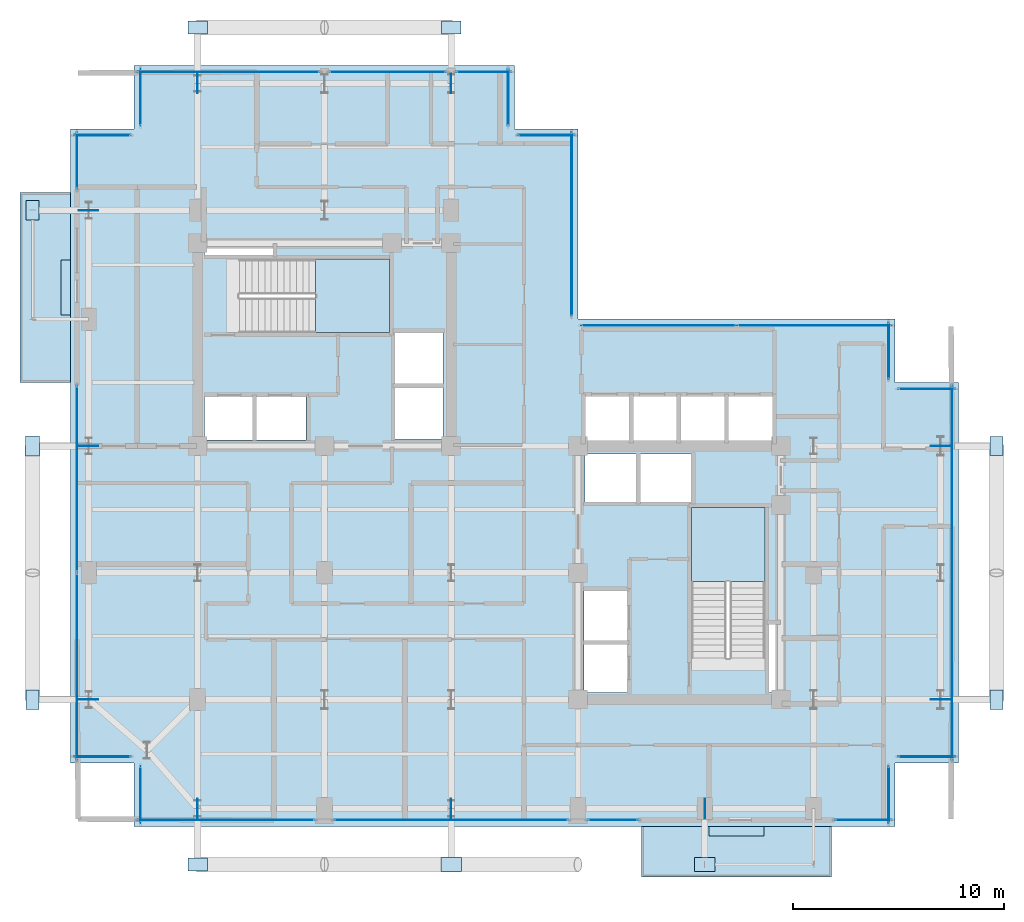
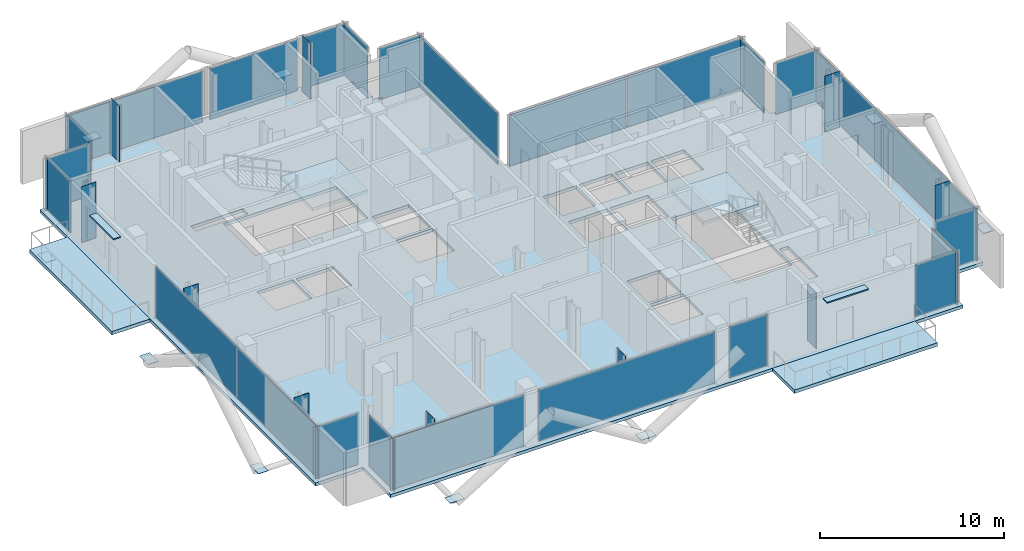
# One storey, part 16 of 26: 46 plates, 5 slabs, 24 elements without a shape of their own.
"""IFC4 building model written with IfcOpenShell, lengths in metres."""

from ifc_helpers import new_model, si_unit, direction, frame, origin, origin_2d, place, context, subcontext, project, spatial, polyline, rectangle, outline, extrude, material, layer, layer_set, type_object, element, aggregate, save


model = new_model("IFC4")

# Units and contexts
model_context = context("Model", 3, precision=1e-05, world=origin(), true_north=direction((0.0, 1.0)))
body_context = subcontext(model_context, "Body", "Model", "MODEL_VIEW")
ifc_project = project(units=[si_unit("LENGTHUNIT", "METRE"), si_unit("AREAUNIT", "SQUARE_METRE"), si_unit("VOLUMEUNIT", "CUBIC_METRE"), si_unit("PLANEANGLEUNIT", "RADIAN"), si_unit("MASSUNIT", "GRAM", prefix="KILO"), si_unit("THERMODYNAMICTEMPERATUREUNIT", "KELVIN"), si_unit("POWERUNIT", "WATT")], contexts=[model_context])

# Site, building, storey
site_placement = place(None, origin())
site = spatial("IfcSite", under=ifc_project, at=site_placement, CompositionType="ELEMENT")
building_placement = place(site_placement, origin())
building = spatial("IfcBuilding", under=site, at=building_placement, Name="Svarakhadi Broadcast Tower", CompositionType="ELEMENT")
storey_placement = place(building_placement, frame((0.0, 0.0, 180.449951171875)))
storey = spatial("IfcBuildingStorey", under=building, at=storey_placement, Name="L44", CompositionType="ELEMENT", Elevation=180.449951171875)

# Curtain wall, plate
ifc_material_1 = material(Name="Anodised Bronze Aluminium AA 6063-T6", Category="aluminium")
ifc_layer_1 = layer(ifc_material_1, 0.18994140625)
ifc_layer_set_1 = layer_set([ifc_layer_1], Name="Anodised Bronze Aluminium AA 6063-T6")
curtain_wall_type = type_object("IfcCurtainWallType", Name="CW_Sys_04", PredefinedType="NOTDEFINED", material=ifc_layer_set_1)
curtain_wall_1_placement = place(storey_placement, origin())
curtain_wall_1 = element("IfcCurtainWall", 1, at=curtain_wall_1_placement, inside=storey, type_object=curtain_wall_type, Name="L44 Unitised Facade Curtain Wall 01", PredefinedType="NOTDEFINED")
ifc_material_2 = material(Name="Double Low-E Laminated Acoustic Glass IGU 36 mm", Category="glass")
ifc_layer_2 = layer(ifc_material_2, 0.033935546875)
ifc_layer_set_2 = layer_set([ifc_layer_2], Name="Double Low-E Laminated Acoustic Glass IGU 36 mm")
plate_type_1 = type_object("IfcPlateType", Name="CW_Sys_04_Pnl", PredefinedType="CURTAIN_PANEL", material=ifc_layer_set_2)
plate_1_placement = place(storey_placement, frame((1.5, 3.300048828125, 0.06494140625), z_axis=(0.0, 0.0, 1.0), x_axis=(-1.0, 0.0, 0.0)))
plate_1 = element("IfcPlate", 2, at=plate_1_placement, type_object=plate_type_1, Name="CW-04 panel 1.1", PredefinedType="CURTAIN_PANEL", context=body_context, shape_type="SweptSolid", body=[
    extrude(rectangle(XDim=2.679931640625, YDim=0.033935546875, at=origin_2d()), origin(), (0.0, 0.0, 1.0), 3.409912109375),
])
aggregate(curtain_wall_1, [plate_1])

# Curtain wall, plates
curtain_wall_2_placement = place(storey_placement, origin())
curtain_wall_2 = element("IfcCurtainWall", 3, at=curtain_wall_2_placement, inside=storey, type_object=curtain_wall_type, Name="L44 West Curtain Wall 02", PredefinedType="NOTDEFINED")
plate_2_placement = place(storey_placement, frame((0.300048828125, 7.5625, 0.06494140625), z_axis=(0.0, 0.0, 1.0), x_axis=(0.0, 1.0, 0.0)))
plate_2 = element("IfcPlate", 4, at=plate_2_placement, type_object=plate_type_1, Name="CW-04 panel 1.1", PredefinedType="CURTAIN_PANEL", context=body_context, shape_type="SweptSolid", body=[
    extrude(rectangle(XDim=8.804931640625, YDim=0.033935546875, at=origin_2d()), origin(), (0.0, 0.0, 1.0), 3.409912109375),
])
plate_3_placement = place(storey_placement, frame((0.300048828125, 16.4375, 0.06494140625), z_axis=(0.0, 0.0, 1.0), x_axis=(0.0, 1.0, 0.0)))
plate_3 = element("IfcPlate", 5, at=plate_3_placement, type_object=plate_type_1, Name="CW-04 panel 2.1", PredefinedType="CURTAIN_PANEL", context=body_context, shape_type="SweptSolid", body=[
    extrude(rectangle(XDim=8.804931640625, YDim=0.033935546875, at=origin_2d()), origin(), (0.0, 0.0, 1.0), 3.409912109375),
])
aggregate(curtain_wall_2, [plate_2, plate_3])

# Curtain wall, plate
curtain_wall_3_placement = place(storey_placement, origin())
curtain_wall_3 = element("IfcCurtainWall", 6, at=curtain_wall_3_placement, inside=storey, type_object=curtain_wall_type, Name="L44 West Curtain Wall 03", PredefinedType="NOTDEFINED")
plate_4_placement = place(storey_placement, frame((0.300048828125, 31.5, 0.06494140625), z_axis=(0.0, 0.0, 1.0), x_axis=(0.0, 1.0, 0.0)))
plate_4 = element("IfcPlate", 7, at=plate_4_placement, type_object=plate_type_1, Name="CW-04 panel 1.1", PredefinedType="CURTAIN_PANEL", context=body_context, shape_type="SweptSolid", body=[
    extrude(rectangle(XDim=2.679931640625, YDim=0.033935546875, at=origin_2d()), origin(), (0.0, 0.0, 1.0), 3.409912109375),
])
aggregate(curtain_wall_3, [plate_4])

curtain_wall_4_placement = place(storey_placement, origin())
curtain_wall_4 = element("IfcCurtainWall", 8, at=curtain_wall_4_placement, inside=storey, type_object=curtain_wall_type, Name="L44 Unitised Facade Curtain Wall 04", PredefinedType="NOTDEFINED")
plate_5_placement = place(storey_placement, frame((1.5, 32.699951171875, 0.06494140625), z_axis=(0.0, 0.0, 1.0), x_axis=(1.0, 0.0, 0.0)))
plate_5 = element("IfcPlate", 9, at=plate_5_placement, type_object=plate_type_1, Name="CW-04 panel 1.1", PredefinedType="CURTAIN_PANEL", context=body_context, shape_type="SweptSolid", body=[
    extrude(rectangle(XDim=2.679931640625, YDim=0.033935546875, at=origin_2d()), origin(), (0.0, 0.0, 1.0), 3.409912109375),
])
aggregate(curtain_wall_4, [plate_5])

curtain_wall_5_placement = place(storey_placement, origin())
curtain_wall_5 = element("IfcCurtainWall", 10, at=curtain_wall_5_placement, inside=storey, type_object=curtain_wall_type, Name="L44 Unitised Facade Curtain Wall 05", PredefinedType="NOTDEFINED")
plate_6_placement = place(storey_placement, frame((3.300048828125, 34.5, 0.06494140625), z_axis=(0.0, 0.0, 1.0), x_axis=(0.0, 1.0, 0.0)))
plate_6 = element("IfcPlate", 11, at=plate_6_placement, type_object=plate_type_1, Name="CW-04 panel 1.1", PredefinedType="CURTAIN_PANEL", context=body_context, shape_type="SweptSolid", body=[
    extrude(rectangle(XDim=2.679931640625, YDim=0.033935546875, at=origin_2d()), origin(), (0.0, 0.0, 1.0), 3.409912109375),
])
aggregate(curtain_wall_5, [plate_6])

curtain_wall_6_placement = place(storey_placement, origin())
curtain_wall_6 = element("IfcCurtainWall", 12, at=curtain_wall_6_placement, inside=storey, type_object=curtain_wall_type, Name="L44 Unitised Facade Curtain Wall 06 Bay 1", PredefinedType="NOTDEFINED")
plate_7_placement = place(storey_placement, frame((7.4599609375, 35.699951171875, 0.06494140625), z_axis=(0.0, 0.0, 1.0), x_axis=(1.0, 0.0, 0.0)))
plate_7 = element("IfcPlate", 13, at=plate_7_placement, type_object=plate_type_1, Name="CW-04 panel 1.1", PredefinedType="CURTAIN_PANEL", context=body_context, shape_type="SweptSolid", body=[
    extrude(rectangle(XDim=8.60009765625, YDim=0.033935546875, at=origin_2d()), origin(), (0.0, 0.0, 1.0), 3.409912109375),
])
aggregate(curtain_wall_6, [plate_7])

curtain_wall_7_placement = place(storey_placement, origin())
curtain_wall_7 = element("IfcCurtainWall", 14, at=curtain_wall_7_placement, inside=storey, type_object=curtain_wall_type, Name="L44 Unitised Facade Curtain Wall 06 Bay 2", PredefinedType="NOTDEFINED")
plate_8_placement = place(storey_placement, frame((15.0, 35.699951171875, 0.06494140625), z_axis=(0.0, 0.0, 1.0), x_axis=(1.0, 0.0, 0.0)))
plate_8 = element("IfcPlate", 15, at=plate_8_placement, type_object=plate_type_1, Name="CW-04 panel 1.1", PredefinedType="CURTAIN_PANEL", context=body_context, shape_type="SweptSolid", body=[
    extrude(rectangle(XDim=5.52001953125, YDim=0.033935546875, at=origin_2d()), origin(), (0.0, 0.0, 1.0), 3.409912109375),
])
aggregate(curtain_wall_7, [plate_8])

curtain_wall_8_placement = place(storey_placement, origin())
curtain_wall_8 = element("IfcCurtainWall", 16, at=curtain_wall_8_placement, inside=storey, type_object=curtain_wall_type, Name="L44 Unitised Facade Curtain Wall 06 Bay 3", PredefinedType="NOTDEFINED")
plate_9_placement = place(storey_placement, frame((19.5400390625, 35.699951171875, 0.06494140625), z_axis=(0.0, 0.0, 1.0), x_axis=(1.0, 0.0, 0.0)))
plate_9 = element("IfcPlate", 17, at=plate_9_placement, type_object=plate_type_1, Name="CW-04 panel 1.1", PredefinedType="CURTAIN_PANEL", context=body_context, shape_type="SweptSolid", body=[
    extrude(rectangle(XDim=2.60009765625, YDim=0.033935546875, at=origin_2d()), origin(), (0.0, 0.0, 1.0), 3.409912109375),
])
aggregate(curtain_wall_8, [plate_9])

curtain_wall_9_placement = place(storey_placement, origin())
curtain_wall_9 = element("IfcCurtainWall", 18, at=curtain_wall_9_placement, inside=storey, type_object=curtain_wall_type, Name="L44 Unitised Facade Curtain Wall 07", PredefinedType="NOTDEFINED")
plate_10_placement = place(storey_placement, frame((20.699951171875, 34.5, 0.06494140625), z_axis=(0.0, 0.0, 1.0), x_axis=(0.0, -1.0, 0.0)))
plate_10 = element("IfcPlate", 19, at=plate_10_placement, type_object=plate_type_1, Name="CW-04 panel 1.1", PredefinedType="CURTAIN_PANEL", context=body_context, shape_type="SweptSolid", body=[
    extrude(rectangle(XDim=2.679931640625, YDim=0.033935546875, at=origin_2d()), origin(), (0.0, 0.0, 1.0), 3.409912109375),
])
aggregate(curtain_wall_9, [plate_10])

curtain_wall_10_placement = place(storey_placement, origin())
curtain_wall_10 = element("IfcCurtainWall", 20, at=curtain_wall_10_placement, inside=storey, type_object=curtain_wall_type, Name="L44 Unitised Facade Curtain Wall 08", PredefinedType="NOTDEFINED")
plate_11_placement = place(storey_placement, frame((22.5, 32.699951171875, 0.06494140625), z_axis=(0.0, 0.0, 1.0), x_axis=(1.0, 0.0, 0.0)))
plate_11 = element("IfcPlate", 21, at=plate_11_placement, type_object=plate_type_1, Name="CW-04 panel 1.1", PredefinedType="CURTAIN_PANEL", context=body_context, shape_type="SweptSolid", body=[
    extrude(rectangle(XDim=2.679931640625, YDim=0.033935546875, at=origin_2d()), origin(), (0.0, 0.0, 1.0), 3.409912109375),
])
aggregate(curtain_wall_10, [plate_11])

curtain_wall_11_placement = place(storey_placement, origin())
curtain_wall_11 = element("IfcCurtainWall", 22, at=curtain_wall_11_placement, inside=storey, type_object=curtain_wall_type, Name="L44 Unitised Facade Curtain Wall 09", PredefinedType="NOTDEFINED")
plate_12_placement = place(storey_placement, frame((23.699951171875, 28.5, 0.06494140625), z_axis=(0.0, 0.0, 1.0), x_axis=(0.0, -1.0, 0.0)))
plate_12 = element("IfcPlate", 23, at=plate_12_placement, type_object=plate_type_1, Name="CW-04 panel 1.1", PredefinedType="CURTAIN_PANEL", context=body_context, shape_type="SweptSolid", body=[
    extrude(rectangle(XDim=8.679931640625, YDim=0.033935546875, at=origin_2d()), origin(), (0.0, 0.0, 1.0), 3.409912109375),
])
aggregate(curtain_wall_11, [plate_12])

# Curtain wall, plates
curtain_wall_12_placement = place(storey_placement, origin())
curtain_wall_12 = element("IfcCurtainWall", 24, at=curtain_wall_12_placement, inside=storey, type_object=curtain_wall_type, Name="L44 Unitised Facade Curtain Wall 10", PredefinedType="NOTDEFINED")
plate_13_placement = place(storey_placement, frame((27.8125, 23.699951171875, 0.06494140625), z_axis=(0.0, 0.0, 1.0), x_axis=(1.0, 0.0, 0.0)))
plate_13 = element("IfcPlate", 25, at=plate_13_placement, type_object=plate_type_1, Name="CW-04 panel 1.1", PredefinedType="CURTAIN_PANEL", context=body_context, shape_type="SweptSolid", body=[
    extrude(rectangle(XDim=7.304931640625, YDim=0.033935546875, at=origin_2d()), origin(), (0.0, 0.0, 1.0), 3.409912109375),
])
plate_14_placement = place(storey_placement, frame((35.1875, 23.699951171875, 0.06494140625), z_axis=(0.0, 0.0, 1.0), x_axis=(1.0, 0.0, 0.0)))
plate_14 = element("IfcPlate", 26, at=plate_14_placement, type_object=plate_type_1, Name="CW-04 panel 2.1", PredefinedType="CURTAIN_PANEL", context=body_context, shape_type="SweptSolid", body=[
    extrude(rectangle(XDim=7.304931640625, YDim=0.033935546875, at=origin_2d()), origin(), (0.0, 0.0, 1.0), 3.409912109375),
])
aggregate(curtain_wall_12, [plate_13, plate_14])

# Curtain wall, plate
curtain_wall_13_placement = place(storey_placement, origin())
curtain_wall_13 = element("IfcCurtainWall", 27, at=curtain_wall_13_placement, inside=storey, type_object=curtain_wall_type, Name="L44 Unitised Facade Curtain Wall 11", PredefinedType="NOTDEFINED")
plate_15_placement = place(storey_placement, frame((38.699951171875, 22.5, 0.06494140625), z_axis=(0.0, 0.0, 1.0), x_axis=(0.0, -1.0, 0.0)))
plate_15 = element("IfcPlate", 28, at=plate_15_placement, type_object=plate_type_1, Name="CW-04 panel 1.1", PredefinedType="CURTAIN_PANEL", context=body_context, shape_type="SweptSolid", body=[
    extrude(rectangle(XDim=2.679931640625, YDim=0.033935546875, at=origin_2d()), origin(), (0.0, 0.0, 1.0), 3.409912109375),
])
aggregate(curtain_wall_13, [plate_15])

curtain_wall_14_placement = place(storey_placement, origin())
curtain_wall_14 = element("IfcCurtainWall", 29, at=curtain_wall_14_placement, inside=storey, type_object=curtain_wall_type, Name="L44 Unitised Facade Curtain Wall 12", PredefinedType="NOTDEFINED")
plate_16_placement = place(storey_placement, frame((40.5, 20.699951171875, 0.06494140625), z_axis=(0.0, 0.0, 1.0), x_axis=(1.0, 0.0, 0.0)))
plate_16 = element("IfcPlate", 30, at=plate_16_placement, type_object=plate_type_1, Name="CW-04 panel 1.1", PredefinedType="CURTAIN_PANEL", context=body_context, shape_type="SweptSolid", body=[
    extrude(rectangle(XDim=2.679931640625, YDim=0.033935546875, at=origin_2d()), origin(), (0.0, 0.0, 1.0), 3.409912109375),
])
aggregate(curtain_wall_14, [plate_16])

curtain_wall_15_placement = place(storey_placement, origin())
curtain_wall_15 = element("IfcCurtainWall", 31, at=curtain_wall_15_placement, inside=storey, type_object=curtain_wall_type, Name="L44 Unitised Facade Curtain Wall 13", PredefinedType="NOTDEFINED")
plate_17_placement = place(storey_placement, frame((41.699951171875, 12.0, 0.06494140625), z_axis=(0.0, 0.0, 1.0), x_axis=(0.0, -1.0, 0.0)))
plate_17 = element("IfcPlate", 32, at=plate_17_placement, type_object=plate_type_1, Name="CW-04 panel 1.1", PredefinedType="CURTAIN_PANEL", context=body_context, shape_type="SweptSolid", body=[
    extrude(rectangle(XDim=17.679931640625, YDim=0.033935546875, at=origin_2d()), origin(), (0.0, 0.0, 1.0), 3.409912109375),
])
aggregate(curtain_wall_15, [plate_17])

curtain_wall_16_placement = place(storey_placement, origin())
curtain_wall_16 = element("IfcCurtainWall", 33, at=curtain_wall_16_placement, inside=storey, type_object=curtain_wall_type, Name="L44 Unitised Facade Curtain Wall 14", PredefinedType="NOTDEFINED")
plate_18_placement = place(storey_placement, frame((40.5, 3.300048828125, 0.06494140625), z_axis=(0.0, 0.0, 1.0), x_axis=(-1.0, 0.0, 0.0)))
plate_18 = element("IfcPlate", 34, at=plate_18_placement, type_object=plate_type_1, Name="CW-04 panel 1.1", PredefinedType="CURTAIN_PANEL", context=body_context, shape_type="SweptSolid", body=[
    extrude(rectangle(XDim=2.679931640625, YDim=0.033935546875, at=origin_2d()), origin(), (0.0, 0.0, 1.0), 3.409912109375),
])
aggregate(curtain_wall_16, [plate_18])

curtain_wall_17_placement = place(storey_placement, origin())
curtain_wall_17 = element("IfcCurtainWall", 35, at=curtain_wall_17_placement, inside=storey, type_object=curtain_wall_type, Name="L44 Unitised Facade Curtain Wall 15", PredefinedType="NOTDEFINED")
plate_19_placement = place(storey_placement, frame((38.699951171875, 1.5, 0.06494140625), z_axis=(0.0, 0.0, 1.0), x_axis=(0.0, -1.0, 0.0)))
plate_19 = element("IfcPlate", 36, at=plate_19_placement, type_object=plate_type_1, Name="CW-04 panel 1.1", PredefinedType="CURTAIN_PANEL", context=body_context, shape_type="SweptSolid", body=[
    extrude(rectangle(XDim=2.679931640625, YDim=0.033935546875, at=origin_2d()), origin(), (0.0, 0.0, 1.0), 3.409912109375),
])
aggregate(curtain_wall_17, [plate_19])

curtain_wall_18_placement = place(storey_placement, origin())
curtain_wall_18 = element("IfcCurtainWall", 37, at=curtain_wall_18_placement, inside=storey, type_object=curtain_wall_type, Name="L44 South Curtain Wall 16", PredefinedType="NOTDEFINED")
plate_20_placement = place(storey_placement, frame((37.5, 0.300048828125, 0.06494140625), z_axis=(0.0, 0.0, 1.0), x_axis=(-1.0, 0.0, 0.0)))
plate_20 = element("IfcPlate", 38, at=plate_20_placement, type_object=plate_type_1, Name="CW-04 panel 1.1", PredefinedType="CURTAIN_PANEL", context=body_context, shape_type="SweptSolid", body=[
    extrude(rectangle(XDim=2.679931640625, YDim=0.033935546875, at=origin_2d()), origin(), (0.0, 0.0, 1.0), 3.409912109375),
])
aggregate(curtain_wall_18, [plate_20])

curtain_wall_19_placement = place(storey_placement, origin())
curtain_wall_19 = element("IfcCurtainWall", 39, at=curtain_wall_19_placement, inside=storey, type_object=curtain_wall_type, Name="L44 South Curtain Wall 17 Bay 1", PredefinedType="NOTDEFINED")
plate_21_placement = place(storey_placement, frame((25.652587890625, 0.300048828125, 0.06494140625), z_axis=(0.0, 0.0, 1.0), x_axis=(-1.0, 0.0, 0.0)))
plate_21 = element("IfcPlate", 40, at=plate_21_placement, type_object=plate_type_1, Name="CW-04 panel 1.1", PredefinedType="CURTAIN_PANEL", context=body_context, shape_type="SweptSolid", body=[
    extrude(rectangle(XDim=2.375, YDim=0.033935546875, at=origin_2d()), origin(), (0.0, 0.0, 1.0), 3.409912109375),
])
aggregate(curtain_wall_19, [plate_21])

curtain_wall_20_placement = place(storey_placement, origin())
curtain_wall_20 = element("IfcCurtainWall", 41, at=curtain_wall_20_placement, inside=storey, type_object=curtain_wall_type, Name="L44 South Curtain Wall 17 Bay 2", PredefinedType="NOTDEFINED")
plate_22_placement = place(storey_placement, frame((18.0, 0.300048828125, 0.06494140625), z_axis=(0.0, 0.0, 1.0), x_axis=(-1.0, 0.0, 0.0)))
plate_22 = element("IfcPlate", 42, at=plate_22_placement, type_object=plate_type_1, Name="CW-04 panel 1.1", PredefinedType="CURTAIN_PANEL", context=body_context, shape_type="SweptSolid", body=[
    extrude(rectangle(XDim=11.070068359375, YDim=0.033935546875, at=origin_2d()), origin(), (0.0, 0.0, 1.0), 3.409912109375),
])
aggregate(curtain_wall_20, [plate_22])

curtain_wall_21_placement = place(storey_placement, origin())
curtain_wall_21 = element("IfcCurtainWall", 43, at=curtain_wall_21_placement, inside=storey, type_object=curtain_wall_type, Name="L44 South Curtain Wall 17 Bay 3", PredefinedType="NOTDEFINED")
plate_23_placement = place(storey_placement, frame((7.347412109375, 0.300048828125, 0.06494140625), z_axis=(0.0, 0.0, 1.0), x_axis=(-1.0, 0.0, 0.0)))
plate_23 = element("IfcPlate", 44, at=plate_23_placement, type_object=plate_type_1, Name="CW-04 panel 1.1", PredefinedType="CURTAIN_PANEL", context=body_context, shape_type="SweptSolid", body=[
    extrude(rectangle(XDim=8.375, YDim=0.033935546875, at=origin_2d()), origin(), (0.0, 0.0, 1.0), 3.409912109375),
])
aggregate(curtain_wall_21, [plate_23])

curtain_wall_22_placement = place(storey_placement, origin())
curtain_wall_22 = element("IfcCurtainWall", 45, at=curtain_wall_22_placement, inside=storey, type_object=curtain_wall_type, Name="L44 Unitised Facade Curtain Wall 18", PredefinedType="NOTDEFINED")
plate_24_placement = place(storey_placement, frame((3.300048828125, 1.5, 0.06494140625), z_axis=(0.0, 0.0, 1.0), x_axis=(0.0, 1.0, 0.0)))
plate_24 = element("IfcPlate", 46, at=plate_24_placement, type_object=plate_type_1, Name="CW-04 panel 1.1", PredefinedType="CURTAIN_PANEL", context=body_context, shape_type="SweptSolid", body=[
    extrude(rectangle(XDim=2.679931640625, YDim=0.033935546875, at=origin_2d()), origin(), (0.0, 0.0, 1.0), 3.409912109375),
])
aggregate(curtain_wall_22, [plate_24])

# Plates
ifc_material_3 = material(Name="Steel S460ML (IS 2062 E450BR)", Category="steel")
ifc_layer_3 = layer(ifc_material_3, 0.028076171875)
ifc_layer_set_3 = layer_set([ifc_layer_3], Name="Steel S460ML (IS 2062 E450BR)")
plate_type_2 = type_object("IfcPlateType", Name="Node_Gusset_N03", PredefinedType="SHEET", material=ifc_layer_set_3)
for number, where, z_axis, x_axis, name in (
    (47, (18.0, -1.800048828125, -0.2099609375), (0.0, 0.0, 1.0), (1.0, 0.0, 0.0), "L44 Exoskeleton Gusset Node Plate S02"),
    (48, (30.0, -1.800048828125, -0.2099609375), (0.0, 0.0, 1.0), (1.0, 0.0, 0.0), "L44 Exoskeleton Gusset Node Plate S03"),
    (49, (-1.800048828125, 18.0, -0.2099609375), (0.0, 0.0, 1.0), (0.0, 1.0, 0.0), "L44 Exoskeleton Gusset Node Plate W05"),
):
    element("IfcPlate", number, at=place(storey_placement, frame(where, z_axis=z_axis, x_axis=x_axis)), inside=storey, type_object=plate_type_2, Name=name, PredefinedType="SHEET", context=body_context, shape_type="SweptSolid", body=[
        extrude(rectangle(XDim=0.9599609375, YDim=0.659912109375, at=origin_2d()), origin(), (0.0, 0.0, 1.0), 0.028076171875),
    ])
ifc_layer_4 = layer(ifc_material_3, 0.02587890625)
ifc_layer_set_4 = layer_set([ifc_layer_4], Name="Steel S460ML (IS 2062 E450BR)")
plate_type_3 = type_object("IfcPlateType", Name="Node_Gusset_N07", PredefinedType="SHEET", material=ifc_layer_set_4)
for number, where, z_axis, x_axis, name in (
    (50, (6.0, -1.800048828125, -0.2099609375), (0.0, 0.0, 1.0), (1.0, 0.0, 0.0), "L44 Exoskeleton Gusset Node Plate S01"),
    (51, (-1.800048828125, 6.0, -0.2099609375), (0.0, 0.0, 1.0), (0.0, 1.0, 0.0), "L44 Exoskeleton Gusset Node Plate W04"),
    (52, (-1.800048828125, 29.14990234375, -0.2099609375), (0.0, 0.0, 1.0), (0.0, 1.0, 0.0), "L44 Exoskeleton Gusset Node Plate W06"),
    (53, (43.800048828125, 6.0, -0.2099609375), (0.0, 0.0, 1.0), (0.0, 1.0, 0.0), "L44 Exoskeleton Gusset Node Plate E07"),
    (54, (43.800048828125, 18.0, -0.2099609375), (0.0, 0.0, 1.0), (0.0, 1.0, 0.0), "L44 Exoskeleton Gusset Node Plate E08"),
    (55, (6.0, 37.800048828125, -0.2099609375), (0.0, 0.0, 1.0), (1.0, 0.0, 0.0), "L44 Exoskeleton Gusset Node Plate N09"),
    (56, (18.0, 37.800048828125, -0.2099609375), (0.0, 0.0, 1.0), (1.0, 0.0, 0.0), "L44 Exoskeleton Gusset Node Plate N10"),
):
    element("IfcPlate", number, at=place(storey_placement, frame(where, z_axis=z_axis, x_axis=x_axis)), inside=storey, type_object=plate_type_3, Name=name, PredefinedType="SHEET", context=body_context, shape_type="SweptSolid", body=[
        extrude(rectangle(XDim=0.919921875, YDim=0.6201171875, at=origin_2d()), origin(), (0.0, 0.0, 1.0), 0.02587890625),
    ])
for number, where, z_axis, x_axis, name in (
    (57, (6.0, 0.85009765625, -0.57177734375), (0.0, 0.0, 1.0), (0.0, 1.0, 0.0), "L44 Brace End Connection Gusset Plate N-07-E0363"),
    (58, (18.0, 0.85009765625, -0.57177734375), (0.0, 0.0, 1.0), (0.0, 1.0, 0.0), "L44 Brace End Connection Gusset Plate N-07-E0364"),
    (59, (30.0, 0.85009765625, -0.57177734375), (0.0, 0.0, 1.0), (0.0, 1.0, 0.0), "L44 Brace End Connection Gusset Plate N-07-E0365"),
    (60, (0.85009765625, 6.0, -0.57177734375), (0.0, 0.0, 1.0), (1.0, 0.0, 0.0), "L44 Brace End Connection Gusset Plate N-07-E0366"),
    (61, (0.85009765625, 18.0, -0.57177734375), (0.0, 0.0, 1.0), (1.0, 0.0, 0.0), "L44 Brace End Connection Gusset Plate N-07-E0367"),
    (62, (0.85009765625, 29.14990234375, -0.57177734375), (0.0, 0.0, 1.0), (1.0, 0.0, 0.0), "L44 Brace End Connection Gusset Plate N-07-E0368"),
    (63, (41.14990234375, 6.0, -0.57177734375), (0.0, 0.0, 1.0), (1.0, 0.0, 0.0), "L44 Brace End Connection Gusset Plate N-07-E0369"),
    (64, (41.14990234375, 18.0, -0.57177734375), (0.0, 0.0, 1.0), (1.0, 0.0, 0.0), "L44 Brace End Connection Gusset Plate N-07-E0370"),
    (65, (6.0, 35.14990234375, -0.57177734375), (0.0, 0.0, 1.0), (0.0, 1.0, 0.0), "L44 Brace End Connection Gusset Plate N-07-E0371"),
    (66, (18.0, 35.14990234375, -0.57177734375), (0.0, 0.0, 1.0), (0.0, 1.0, 0.0), "L44 Brace End Connection Gusset Plate N-07-E0372"),
):
    element("IfcPlate", number, at=place(storey_placement, frame(where, z_axis=z_axis, x_axis=x_axis)), inside=storey, type_object=plate_type_3, Name=name, PredefinedType="SHEET", context=body_context, shape_type="SweptSolid", body=[
        extrude(rectangle(XDim=0.919921875, YDim=0.02587890625, at=origin_2d()), origin(), (0.0, 0.0, 1.0), 4.300048828125),
    ])

# Slab
ifc_material_4 = material(Name="Concrete C40/50 (IS 456 M50)", Category="concrete")
ifc_layer_5 = layer(ifc_material_4, 0.2099609375)
ifc_layer_set_5 = layer_set([ifc_layer_5], Name="Concrete C40/50 (IS 456 M50)")
slab_type_1 = type_object("IfcSlabType", Name="Slab_Floor_210", PredefinedType="FLOOR", material=ifc_layer_set_5)
slab_1_placement = place(storey_placement, frame((0.0, 0.0, -0.2099609375)))
element("IfcSlab", 67, at=slab_1_placement, inside=storey, type_object=slab_type_1, Name="L44 Structural Floor Slab", PredefinedType="FLOOR", context=body_context, shape_type="SweptSolid", body=[
    extrude(outline(polyline([(3.0, 0.0), (39.0, 0.0), (39.0, 3.0), (42.0, 3.0), (42.0, 21.0), (39.0, 21.0), (39.0, 24.0), (24.0, 24.0), (24.0, 33.0), (21.0, 33.0), (21.0, 36.0), (3.0, 36.0), (3.0, 33.0), (0.0, 33.0), (0.0, 3.0), (3.0, 3.0), (3.0, 0.0)]), holes=[polyline([(7.97998046875, 23.360107421875), (15.080078125, 23.360107421875), (15.080078125, 26.840087890625), (7.97998046875, 26.840087890625), (7.97998046875, 23.360107421875)]), polyline([(32.840087890625, 7.97998046875), (32.840087890625, 15.080078125), (29.360107421875, 15.080078125), (29.360107421875, 7.97998046875), (32.840087890625, 7.97998046875)]), polyline([(6.340087890625, 18.2900390625), (8.610107421875, 18.2900390625), (8.610107421875, 20.330078125), (6.340087890625, 20.330078125), (6.340087890625, 18.2900390625)]), polyline([(8.7900390625, 18.2900390625), (11.1298828125, 18.2900390625), (11.1298828125, 20.330078125), (8.7900390625, 20.330078125), (8.7900390625, 18.2900390625)]), polyline([(24.2900390625, 6.340087890625), (26.330078125, 6.340087890625), (26.330078125, 8.610107421875), (24.2900390625, 8.610107421875), (24.2900390625, 6.340087890625)]), polyline([(24.2900390625, 8.7900390625), (26.330078125, 8.7900390625), (26.330078125, 11.1298828125), (24.2900390625, 11.1298828125), (24.2900390625, 8.7900390625)]), polyline([(6.340087890625, 26.989990234375), (9.610107421875, 26.989990234375), (9.610107421875, 27.530029296875), (6.340087890625, 27.530029296875), (6.340087890625, 26.989990234375)]), polyline([(32.989990234375, 6.340087890625), (33.530029296875, 6.340087890625), (33.530029296875, 9.610107421875), (32.989990234375, 9.610107421875), (32.989990234375, 6.340087890625)]), polyline([(15.340087890625, 18.340087890625), (17.610107421875, 18.340087890625), (17.610107421875, 20.760009765625), (15.340087890625, 20.760009765625), (15.340087890625, 18.340087890625)]), polyline([(15.340087890625, 20.93994140625), (17.610107421875, 20.93994140625), (17.610107421875, 23.360107421875), (15.340087890625, 23.360107421875), (15.340087890625, 20.93994140625)]), polyline([(24.340087890625, 15.340087890625), (26.760009765625, 15.340087890625), (26.760009765625, 17.610107421875), (24.340087890625, 17.610107421875), (24.340087890625, 15.340087890625)]), polyline([(26.93994140625, 15.340087890625), (29.360107421875, 15.340087890625), (29.360107421875, 17.610107421875), (26.93994140625, 17.610107421875), (26.93994140625, 15.340087890625)]), polyline([(24.340087890625, 18.239990234375), (26.429931640625, 18.239990234375), (26.429931640625, 20.360107421875), (24.340087890625, 20.360107421875), (24.340087890625, 18.239990234375)]), polyline([(26.610107421875, 18.239990234375), (28.679931640625, 18.239990234375), (28.679931640625, 20.360107421875), (26.610107421875, 20.360107421875), (26.610107421875, 18.239990234375)]), polyline([(28.860107421875, 18.239990234375), (30.929931640625, 18.239990234375), (30.929931640625, 20.360107421875), (28.860107421875, 20.360107421875), (28.860107421875, 18.239990234375)]), polyline([(31.110107421875, 18.239990234375), (33.2099609375, 18.239990234375), (33.2099609375, 20.360107421875), (31.110107421875, 20.360107421875), (31.110107421875, 18.239990234375)])]), origin(), (0.0, 0.0, 1.0), 0.2099609375),
])

# Stair, slab
stair_type = type_object("IfcStairType", Name="Stair_Exit_Core", PredefinedType="HALF_TURN_STAIR", material=ifc_material_4)
stair_1_placement = place(storey_placement, origin())
stair_1 = element("IfcStair", 68, at=stair_1_placement, inside=storey, type_object=stair_type, Name="L44 West Core Protected Exit Stair ST-01", PredefinedType="HALF_TURN_STAIR")
ifc_layer_6 = layer(ifc_material_4, 0.199951171875)
ifc_layer_set_6 = layer_set([ifc_layer_6], Name="Concrete C40/50 (IS 456 M50)")
slab_type_2 = type_object("IfcSlabType", Name="Slab_Stair_Land", PredefinedType="LANDING", material=ifc_layer_set_6)
slab_2_placement = place(storey_placement, frame((0.0, 0.0, 1.675048828125)))
slab_2 = element("IfcSlab", 69, at=slab_2_placement, type_object=slab_type_2, Name="ST-01 landing 1", PredefinedType="LANDING", context=body_context, shape_type="SweptSolid", body=[
    extrude(outline(polyline([(11.580078125, 23.360107421875), (15.080078125, 23.360107421875), (15.080078125, 26.840087890625), (11.580078125, 26.840087890625), (11.580078125, 23.360107421875)])), origin(), (0.0, 0.0, 1.0), 0.199951171875),
])
aggregate(stair_1, [slab_2])

stair_2_placement = place(storey_placement, origin())
stair_2 = element("IfcStair", 70, at=stair_2_placement, inside=storey, type_object=stair_type, Name="L44 East Core Protected Exit Stair ST-02", PredefinedType="HALF_TURN_STAIR")
slab_3_placement = place(storey_placement, frame((0.0, 0.0, 1.675048828125)))
slab_3 = element("IfcSlab", 71, at=slab_3_placement, type_object=slab_type_2, Name="ST-02 landing 1", PredefinedType="LANDING", context=body_context, shape_type="SweptSolid", body=[
    extrude(outline(polyline([(32.840087890625, 11.580078125), (32.840087890625, 15.080078125), (29.360107421875, 15.080078125), (29.360107421875, 11.580078125), (32.840087890625, 11.580078125)])), origin(), (0.0, 0.0, 1.0), 0.199951171875),
])
aggregate(stair_2, [slab_3])

# Slabs
ifc_layer_7 = layer(ifc_material_4, 0.22509765625)
ifc_layer_set_7 = layer_set([ifc_layer_7], Name="Concrete C40/50 (IS 456 M50)")
slab_type_3 = type_object("IfcSlabType", Name="Slab_TreeBalcony", PredefinedType="FLOOR", material=ifc_layer_set_7)
slab_4_placement = place(storey_placement, frame((0.0, 0.0, -0.224853515625)))
element("IfcSlab", 72, at=slab_4_placement, inside=storey, type_object=slab_type_3, Name="L44 Planted Tree Balcony Slab BAL-E", PredefinedType="FLOOR", context=body_context, shape_type="SweptSolid", body=[
    extrude(outline(polyline([(27.0, -2.39990234375), (36.0, -2.39990234375), (36.0, 0.0), (27.0, 0.0), (27.0, -2.39990234375)])), origin(), (0.0, 0.0, 1.0), 0.224853515625),
])
slab_5_placement = place(storey_placement, frame((0.0, 0.0, -0.224853515625)))
element("IfcSlab", 73, at=slab_5_placement, inside=storey, type_object=slab_type_3, Name="L44 Planted Tree Balcony Slab BAL-N", PredefinedType="FLOOR", context=body_context, shape_type="SweptSolid", body=[
    extrude(outline(polyline([(-2.39990234375, 21.0), (0.0, 21.0), (0.0, 30.0), (-2.39990234375, 30.0), (-2.39990234375, 21.0)])), origin(), (0.0, 0.0, 1.0), 0.224853515625),
])

# Plates
ifc_layer_8 = layer(ifc_material_1, 0.080078125)
ifc_layer_set_8 = layer_set([ifc_layer_8], Name="Anodised Bronze Aluminium AA 6063-T6")
plate_type_4 = type_object("IfcPlateType", Name="Sunshade_Fin_SS01", PredefinedType="USERDEFINED", material=ifc_layer_set_8)
for number, where, z_axis, x_axis, name in (
    (74, (31.5, -0.22509765625, 3.4599609375), (0.0, 0.0, 1.0), (1.0, 0.0, 0.0), "L44 South Bronze Brise-Soleil Sunshade SS-01"),
    (75, (-0.22509765625, 25.5, 3.4599609375), (0.0, 0.0, 1.0), (0.0, 1.0, 0.0), "L44 West Bronze Brise-Soleil Sunshade SS-01"),
):
    element("IfcPlate", number, at=place(storey_placement, frame(where, z_axis=z_axis, x_axis=x_axis)), inside=storey, type_object=plate_type_4, Name=name, ObjectType="SUNSHADE", PredefinedType="USERDEFINED", context=body_context, shape_type="SweptSolid", body=[
        extrude(rectangle(XDim=2.60009765625, YDim=0.449951171875, at=origin_2d()), origin(), (0.0, 0.0, 1.0), 0.080078125),
    ])

save(model, "model.ifc")
